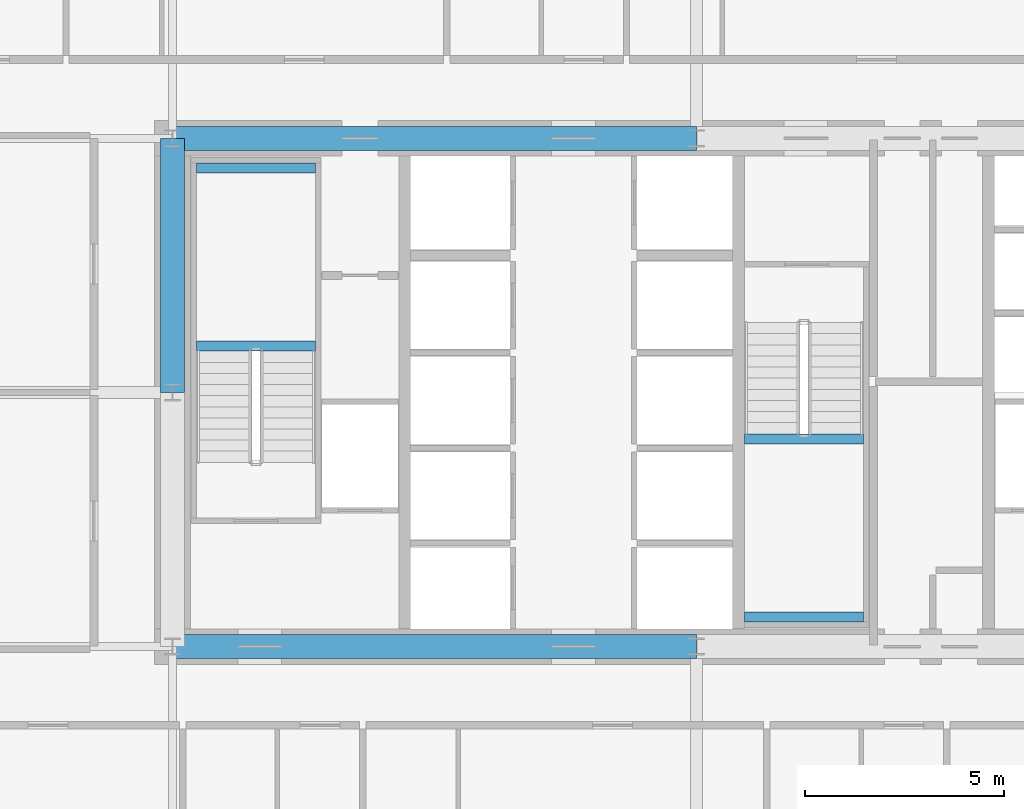
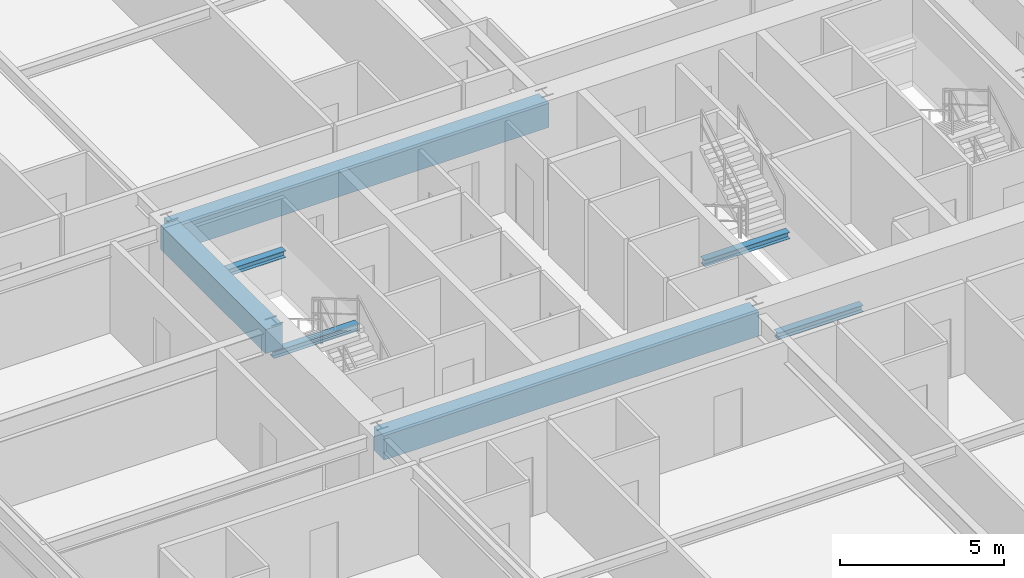
# One storey, part 12 of 43: 7 beams.
"""IFC4 building model written with IfcOpenShell, lengths in metres."""

from ifc_helpers import new_model, si_unit, direction, frame, origin, origin_2d, place, context, subcontext, project, spatial, rectangle, i_section, extrude, source, transform, mapped, material, material_profile, profile_set, type_object, element, save


model = new_model("IFC4")

# Units and contexts
model_context = context("Model", 3, precision=1e-05, world=origin(), true_north=direction((0.0, 1.0)))
body_context = subcontext(model_context, "Body", "Model", "MODEL_VIEW")
ifc_project = project(units=[si_unit("LENGTHUNIT", "METRE"), si_unit("AREAUNIT", "SQUARE_METRE"), si_unit("VOLUMEUNIT", "CUBIC_METRE"), si_unit("PLANEANGLEUNIT", "RADIAN"), si_unit("MASSUNIT", "GRAM", prefix="KILO"), si_unit("THERMODYNAMICTEMPERATUREUNIT", "KELVIN"), si_unit("POWERUNIT", "WATT")], contexts=[model_context])

# Site, building, storey
site_placement = place(None, origin())
site = spatial("IfcSite", under=ifc_project, at=site_placement, CompositionType="ELEMENT")
building_placement = place(site_placement, origin())
building = spatial("IfcBuilding", under=site, at=building_placement, Name="Yuzanri Waterfront Tower", CompositionType="ELEMENT")
storey_placement = place(building_placement, frame((0.0, 0.0, 74.800048828125)))
storey = spatial("IfcBuildingStorey", under=building, at=storey_placement, Name="L19", CompositionType="ELEMENT", Elevation=74.800048828125)

# Beams
ifc_material_1 = material(Name="Concrete C60", Category="concrete")
ifc_material_profile_1 = material_profile(ifc_material_1, rectangle(XDim=0.60009765625, YDim=0.89990234375, at=origin_2d()), Name="RC 600x900")
ifc_profile_set_1 = profile_set([ifc_material_profile_1], Name="Concrete C60")
beam_type_1 = type_object("IfcBeamType", Name="Core Coupling Lintel Concrete C60 600x900", PredefinedType="LINTEL", material=ifc_profile_set_1)
shared_shape_1 = source(origin(), body_context, "Body", "SweptSolid", [
    extrude(rectangle(XDim=0.60009765625, YDim=0.89990234375, at=origin_2d()), origin(), (0.0, 0.0, 1.0), 13.199951171875),
])
for number, where, z_axis, x_axis, name in (
    (1, (23.800048828125, 19.39990234375, 2.929931640625), (1.0, 0.0, 0.0), (0.0, 1.0, 0.0), "L19 Core Tie Beam CS1"),
    (2, (23.800048828125, 32.199951171875, 2.929931640625), (1.0, 0.0, 0.0), (0.0, 1.0, 0.0), "L19 Core Tie Beam CN1"),
):
    element("IfcBeam", number, at=place(storey_placement, frame(where, z_axis=z_axis, x_axis=x_axis)), inside=storey, type_object=beam_type_1, Name=name, PredefinedType="LINTEL", context=body_context, shape_type="MappedRepresentation", body=[
        mapped(shared_shape_1, transform((0.0, 0.0, 0.0), scale=1.0)),
    ])
shared_shape_2 = source(origin(), body_context, "Body", "SweptSolid", [
    extrude(rectangle(XDim=0.60009765625, YDim=0.89990234375, at=origin_2d()), origin(), (0.0, 0.0, 1.0), 6.39990234375),
])
beam_placement = place(storey_placement, frame((23.800048828125, 25.800048828125, 2.929931640625), z_axis=(0.0, 1.0, 0.0), x_axis=(-1.0, 0.0, 0.0)))
element("IfcBeam", 3, at=beam_placement, inside=storey, type_object=beam_type_1, Name="L19 Core Tie Beam CW2", PredefinedType="LINTEL", context=body_context, shape_type="MappedRepresentation", body=[
    mapped(shared_shape_2, transform((0.0, 0.0, 0.0), scale=1.0)),
])
ifc_material_2 = material(Name="Steel Q355B", Category="steel")
ifc_material_profile_2 = material_profile(ifc_material_2, i_section(OverallWidth=0.25, OverallDepth=0.25, WebThickness=0.009033203125, FlangeThickness=0.013916015625, at=origin_2d()), Name="HW 250x250x9x14")
ifc_profile_set_2 = profile_set([ifc_material_profile_2], Name="Steel Q355B")
beam_type_2 = type_object("IfcBeamType", Name="Stair Landing Support Beam Q355B HW 250x250", PredefinedType="BEAM", material=ifc_profile_set_2)
shared_shape_3 = source(origin(), body_context, "Body", "SweptSolid", [
    extrude(i_section(OverallWidth=0.25, OverallDepth=0.25, WebThickness=0.009033203125, FlangeThickness=0.013916015625, at=origin_2d()), origin(), (0.0, 0.0, 1.0), 3.0),
])
for number, where, z_axis, x_axis, name in (
    (4, (24.39990234375, 26.969970703125, 1.474853515625), (1.0, 0.0, 0.0), (0.0, 1.0, 0.0), "L19 Stair Landing Support Beam ST-01-L19-L1-1"),
    (5, (24.39990234375, 31.449951171875, 1.474853515625), (1.0, 0.0, 0.0), (0.0, 1.0, 0.0), "L19 Stair Landing Support Beam ST-01-L19-L1-2"),
    (6, (38.199951171875, 20.14990234375, 1.474853515625), (1.0, 0.0, 0.0), (0.0, 1.0, 0.0), "L19 Stair Landing Support Beam ST-03-L19-L1-1"),
    (7, (38.199951171875, 24.6298828125, 1.474853515625), (1.0, 0.0, 0.0), (0.0, 1.0, 0.0), "L19 Stair Landing Support Beam ST-03-L19-L1-2"),
):
    element("IfcBeam", number, at=place(storey_placement, frame(where, z_axis=z_axis, x_axis=x_axis)), inside=storey, type_object=beam_type_2, Name=name, PredefinedType="BEAM", context=body_context, shape_type="MappedRepresentation", body=[
        mapped(shared_shape_3, transform((0.0, 0.0, 0.0), scale=1.0)),
    ])

save(model, "model.ifc")
